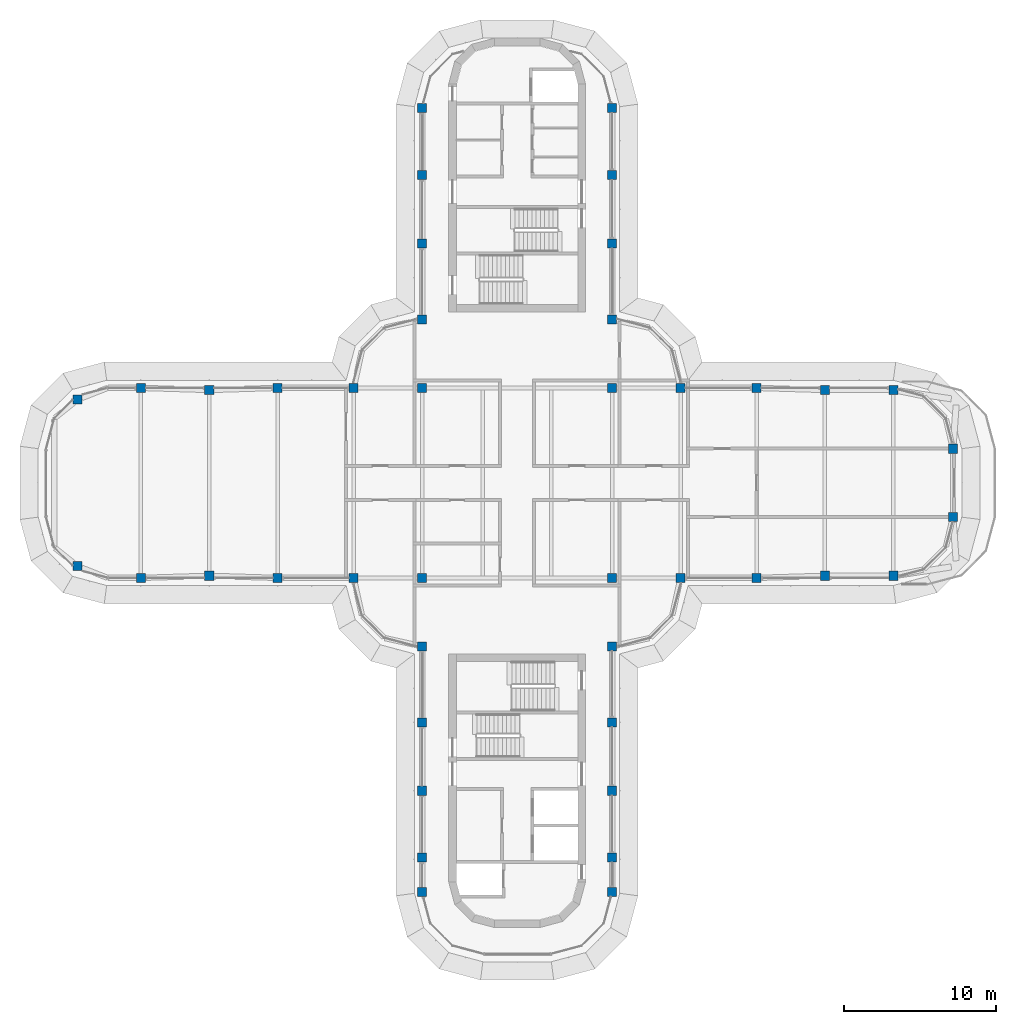
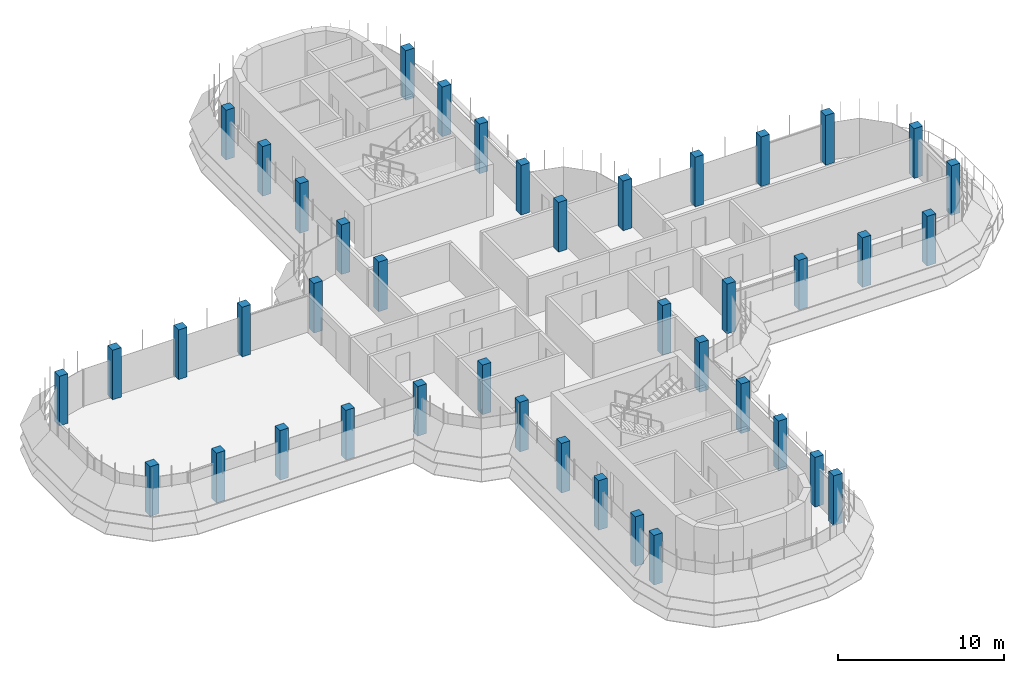
# One storey, part 1 of 20: 42 columns.
"""IFC4 building model written with IfcOpenShell, lengths in metres."""

from ifc_helpers import new_model, si_unit, direction, frame, origin, origin_2d, place, context, subcontext, project, spatial, rectangle, extrude, material, material_profile, profile_set, type_object, element, save


model = new_model("IFC4")

# Units and contexts
model_context = context("Model", 3, precision=1e-05, world=origin(), true_north=direction((0.0, 1.0)))
body_context = subcontext(model_context, "Body", "Model", "MODEL_VIEW")
ifc_project = project(units=[si_unit("LENGTHUNIT", "METRE"), si_unit("AREAUNIT", "SQUARE_METRE"), si_unit("VOLUMEUNIT", "CUBIC_METRE"), si_unit("PLANEANGLEUNIT", "RADIAN"), si_unit("MASSUNIT", "GRAM", prefix="KILO")], contexts=[model_context])

# Site, building, storey
site_placement = place(None, origin())
site = spatial("IfcSite", under=ifc_project, at=site_placement, CompositionType="ELEMENT")
building_placement = place(site_placement, origin())
building = spatial("IfcBuilding", under=site, at=building_placement, Name="Zarbagh Exchange Tower", CompositionType="ELEMENT")
storey_placement = place(building_placement, frame((0.0, 0.0, 249.800048828125)))
storey = spatial("IfcBuildingStorey", under=building, at=storey_placement, Name="L61", CompositionType="ELEMENT", Elevation=249.800048828125)

# Columns
ifc_material = material(Name="Concrete C40/50", Category="concrete")
ifc_material_profile = material_profile(ifc_material, rectangle(XDim=0.60009765625, YDim=0.60009765625, at=origin_2d()), Name="RC column 600 x 600 C40/50")
ifc_profile_set = profile_set([ifc_material_profile], Name="Concrete C40/50")
column_type = type_object("IfcColumnType", Name="RC column 600 x 600 C40/50", PredefinedType="COLUMN", material=ifc_profile_set)
for number, where, z_axis, x_axis, name in (
    (1, (-28.907958984375, -5.47509765625, 0.0), (0.0, 0.0, 1.0), (1.0, 0.0, 0.0), "C6 11/R"),
    (2, (-28.907958984375, 5.47509765625, 0.0), (0.0, 0.0, 1.0), (1.0, 0.0, 0.0), "C6 11/U"),
    (3, (-24.75, -6.25, 0.0), (0.0, 0.0, 1.0), (1.0, 0.0, 0.0), "C6 12/R"),
    (4, (-24.75, 6.25, 0.0), (0.0, 0.0, 1.0), (1.0, 0.0, 0.0), "C6 12/U"),
    (5, (-20.25, -6.110107421875, 0.0), (0.0, 0.0, 1.0), (1.0, 0.0, 0.0), "C6 13/R"),
    (6, (-20.25, 6.110107421875, 0.0), (0.0, 0.0, 1.0), (1.0, 0.0, 0.0), "C6 13/U"),
    (7, (-15.75, -6.25, 0.0), (0.0, 0.0, 1.0), (1.0, 0.0, 0.0), "C6 14/R"),
    (8, (-15.75, 6.25, 0.0), (0.0, 0.0, 1.0), (1.0, 0.0, 0.0), "C6 14/U"),
    (9, (-10.75, -6.25, 0.0), (0.0, 0.0, 1.0), (1.0, 0.0, 0.0), "C6 15/R"),
    (10, (-10.75, 6.25, 0.0), (0.0, 0.0, 1.0), (1.0, 0.0, 0.0), "C6 15/U"),
    (11, (-6.25, -26.89990234375, 0.0), (0.0, 0.0, 1.0), (1.0, 0.0, 0.0), "C6 16/L"),
    (12, (-6.25, -24.64990234375, 0.0), (0.0, 0.0, 1.0), (1.0, 0.0, 0.0), "C6 16/M"),
    (13, (-6.25, -20.25, 0.0), (0.0, 0.0, 1.0), (1.0, 0.0, 0.0), "C6 16/N"),
    (14, (-6.25, -15.75, 0.0), (0.0, 0.0, 1.0), (1.0, 0.0, 0.0), "C6 16/P"),
    (15, (-6.25, -10.75, 0.0), (0.0, 0.0, 1.0), (1.0, 0.0, 0.0), "C6 16/Q"),
    (16, (-6.25, -6.25, 0.0), (0.0, 0.0, 1.0), (1.0, 0.0, 0.0), "C6 16/R"),
    (17, (-6.25, 6.25, 0.0), (0.0, 0.0, 1.0), (1.0, 0.0, 0.0), "C6 16/U"),
    (18, (-6.25, 10.75, 0.0), (0.0, 0.0, 1.0), (1.0, 0.0, 0.0), "C6 16/V"),
    (19, (-6.25, 15.75, 0.0), (0.0, 0.0, 1.0), (1.0, 0.0, 0.0), "C6 16/W"),
    (20, (-6.25, 20.25, 0.0), (0.0, 0.0, 1.0), (1.0, 0.0, 0.0), "C6 16/X"),
    (21, (-6.25, 24.64990234375, 0.0), (0.0, 0.0, 1.0), (1.0, 0.0, 0.0), "C6 16/Y"),
    (22, (6.25, -26.89990234375, 0.0), (0.0, 0.0, 1.0), (1.0, 0.0, 0.0), "C6 19/L"),
    (23, (6.25, -24.64990234375, 0.0), (0.0, 0.0, 1.0), (1.0, 0.0, 0.0), "C6 19/M"),
    (24, (6.25, -20.25, 0.0), (0.0, 0.0, 1.0), (1.0, 0.0, 0.0), "C6 19/N"),
    (25, (6.25, -15.75, 0.0), (0.0, 0.0, 1.0), (1.0, 0.0, 0.0), "C6 19/P"),
    (26, (6.25, -10.75, 0.0), (0.0, 0.0, 1.0), (1.0, 0.0, 0.0), "C6 19/Q"),
    (27, (6.25, -6.25, 0.0), (0.0, 0.0, 1.0), (1.0, 0.0, 0.0), "C6 19/R"),
    (28, (6.25, 6.25, 0.0), (0.0, 0.0, 1.0), (1.0, 0.0, 0.0), "C6 19/U"),
    (29, (6.25, 10.75, 0.0), (0.0, 0.0, 1.0), (1.0, 0.0, 0.0), "C6 19/V"),
    (30, (6.25, 15.75, 0.0), (0.0, 0.0, 1.0), (1.0, 0.0, 0.0), "C6 19/W"),
    (31, (6.25, 20.25, 0.0), (0.0, 0.0, 1.0), (1.0, 0.0, 0.0), "C6 19/X"),
    (32, (6.25, 24.64990234375, 0.0), (0.0, 0.0, 1.0), (1.0, 0.0, 0.0), "C6 19/Y"),
    (33, (10.75, -6.25, 0.0), (0.0, 0.0, 1.0), (1.0, 0.0, 0.0), "C6 20/R"),
    (34, (10.75, 6.25, 0.0), (0.0, 0.0, 1.0), (1.0, 0.0, 0.0), "C6 20/U"),
    (35, (15.75, -6.25, 0.0), (0.0, 0.0, 1.0), (1.0, 0.0, 0.0), "C6 21/R"),
    (36, (15.75, 6.25, 0.0), (0.0, 0.0, 1.0), (1.0, 0.0, 0.0), "C6 21/U"),
    (37, (20.25, -6.110107421875, 0.0), (0.0, 0.0, 1.0), (1.0, 0.0, 0.0), "C6 22/R"),
    (38, (20.25, 6.110107421875, 0.0), (0.0, 0.0, 1.0), (1.0, 0.0, 0.0), "C6 22/U"),
    (39, (24.75, -6.110107421875, 0.0), (0.0, 0.0, 1.0), (1.0, 0.0, 0.0), "C6 23/R"),
    (40, (24.75, 6.110107421875, 0.0), (0.0, 0.0, 1.0), (1.0, 0.0, 0.0), "C6 23/U"),
    (41, (28.669921875, -2.25, 0.0), (0.0, 0.0, 1.0), (1.0, 0.0, 0.0), "C6 24/S"),
    (42, (28.669921875, 2.25, 0.0), (0.0, 0.0, 1.0), (1.0, 0.0, 0.0), "C6 24/T"),
):
    element("IfcColumn", number, at=place(storey_placement, frame(where, z_axis=z_axis, x_axis=x_axis)), inside=storey, type_object=column_type, Name=name, PredefinedType="COLUMN", context=body_context, shape_type="SweptSolid", body=[
        extrude(rectangle(XDim=0.60009765625, YDim=0.60009765625, at=origin_2d()), origin(), (0.0, 0.0, 1.0), 3.64990234375),
    ])

save(model, "model.ifc")
